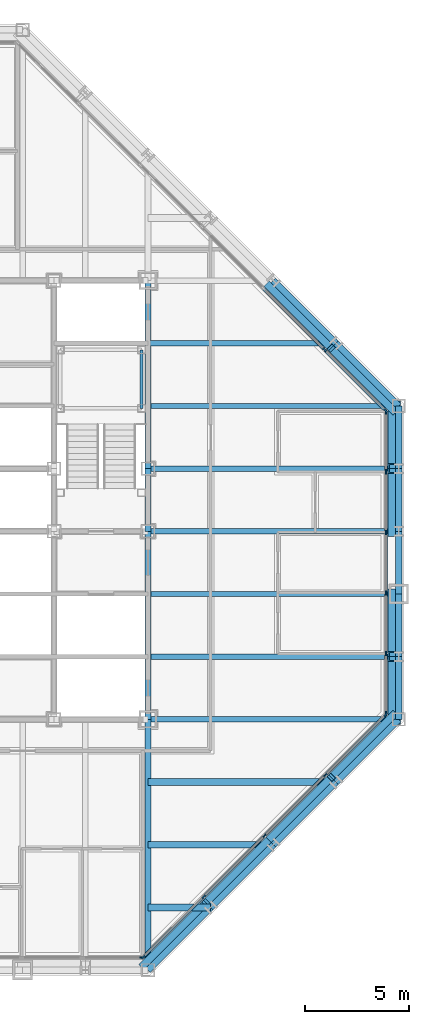
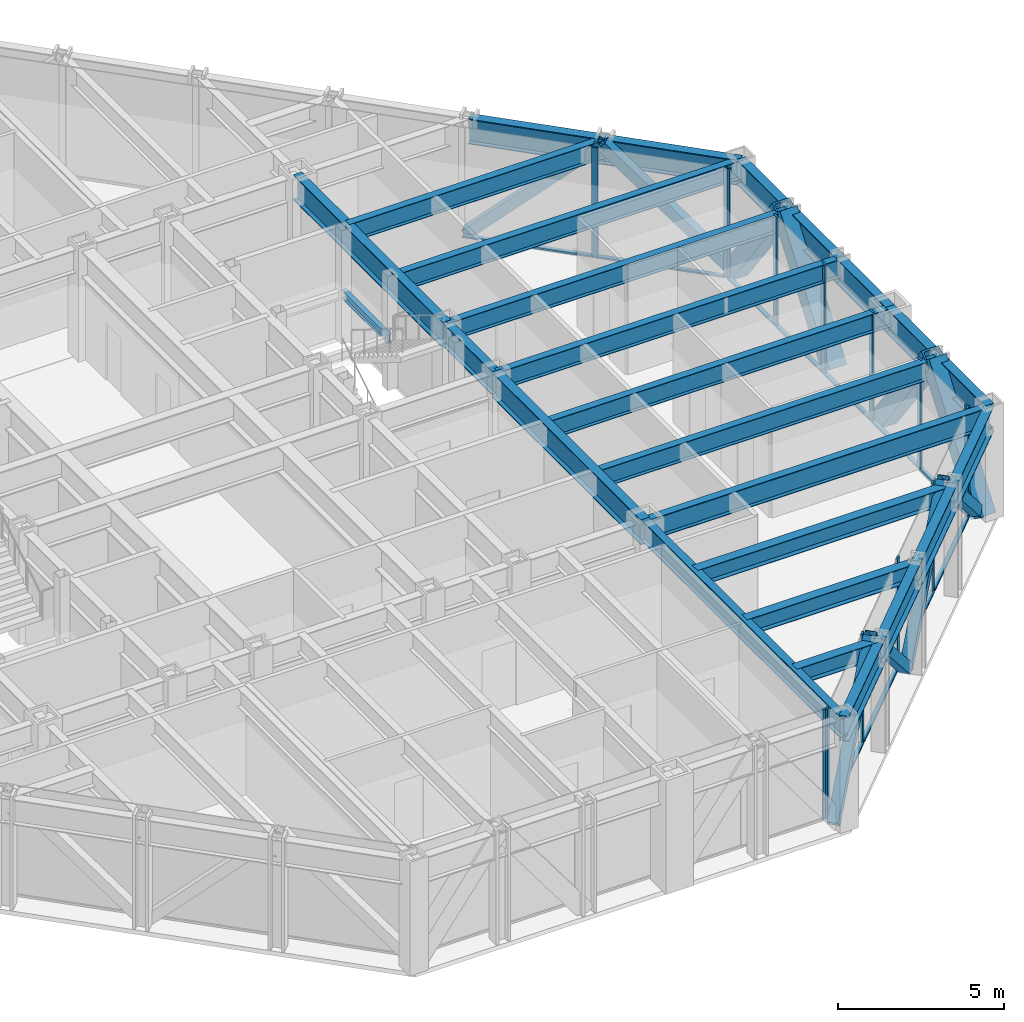
# One storey, part 7 of 16: 35 members, 26 beams, 4 elements without a shape of their own.
"""IFC4 building model written with IfcOpenShell, lengths in metres."""

from ifc_helpers import new_model, si_unit, direction, frame, origin, origin_2d, place, context, subcontext, project, spatial, rectangle, hollow_rectangle, i_section, extrude, material, layer, layer_set, material_profile, profile_set, type_object, element, aggregate, save


model = new_model("IFC4")

# Units and contexts
model_context = context("Model", 3, precision=1e-05, world=origin(), true_north=direction((0.0, 1.0)))
body_context = subcontext(model_context, "Body", "Model", "MODEL_VIEW")
ifc_project = project(units=[si_unit("LENGTHUNIT", "METRE"), si_unit("AREAUNIT", "SQUARE_METRE"), si_unit("VOLUMEUNIT", "CUBIC_METRE"), si_unit("PLANEANGLEUNIT", "RADIAN"), si_unit("MASSUNIT", "GRAM", prefix="KILO")], contexts=[model_context])

# Site, building, storey
site_placement = place(None, origin())
site = spatial("IfcSite", under=ifc_project, at=site_placement, CompositionType="ELEMENT")
building_placement = place(site_placement, origin())
building = spatial("IfcBuilding", under=site, at=building_placement, Name="Chuquiago Exchange Tower", CompositionType="ELEMENT")
storey_placement = place(building_placement, frame((0.0, 0.0, 201.300048828125)))
storey = spatial("IfcBuildingStorey", under=building, at=storey_placement, Name="L44", CompositionType="ELEMENT", Elevation=201.300048828125)

# Beams
ifc_material_1 = material(Name="Steel ASTM A992", Category="steel")
ifc_material_profile_1 = material_profile(ifc_material_1, i_section(OverallWidth=0.25390625, OverallDepth=0.683349609375, WebThickness=0.012451171875, FlangeThickness=0.018798828125, at=origin_2d()), Name="W27X94")
ifc_profile_set_1 = profile_set([ifc_material_profile_1], Name="Steel ASTM A992")
beam_type_1 = type_object("IfcBeamType", Name="B1 W27X94", PredefinedType="BEAM", material=ifc_profile_set_1)
for number, where, z_axis, x_axis, name in (
    (1, (33.0, 15.0, 3.6982421875), (1.0, 0.0, 0.0), (0.0, 1.0, 0.0), "FB-L45-infill-33_15-45_15-0"),
    (2, (33.0, 18.0, 3.6982421875), (1.0, 0.0, 0.0), (0.0, 1.0, 0.0), "FB-L45-infill-33_18-45_18-0"),
    (3, (33.0, 21.0, 3.6982421875), (1.0, 0.0, 0.0), (0.0, 1.0, 0.0), "FB-L45-infill-33_21-45_21-0"),
    (4, (33.0, 24.0, 3.6982421875), (1.0, 0.0, 0.0), (0.0, 1.0, 0.0), "FB-L45-infill-33_24-45_24-0"),
    (5, (33.0, 27.0, 3.6982421875), (1.0, 0.0, 0.0), (0.0, 1.0, 0.0), "FB-L45-infill-33_27-45_27-0"),
):
    element("IfcBeam", number, at=place(storey_placement, frame(where, z_axis=z_axis, x_axis=x_axis)), inside=storey, type_object=beam_type_1, Name=name, PredefinedType="BEAM", context=body_context, shape_type="SweptSolid", body=[
        extrude(i_section(OverallWidth=0.25390625, OverallDepth=0.683349609375, WebThickness=0.012451171875, FlangeThickness=0.018798828125, at=origin_2d()), origin(), (0.0, 0.0, 1.0), 12.0),
    ])
beam_1_placement = place(storey_placement, frame((33.0, 30.0, 3.6982421875), z_axis=(1.0, 0.0, 0.0), x_axis=(0.0, 1.0, 0.0)))
element("IfcBeam", 6, at=beam_1_placement, inside=storey, type_object=beam_type_1, Name="FB-L45-infill-33_30-42_30-0", PredefinedType="BEAM", context=body_context, shape_type="SweptSolid", body=[
    extrude(i_section(OverallWidth=0.25390625, OverallDepth=0.683349609375, WebThickness=0.012451171875, FlangeThickness=0.018798828125, at=origin_2d()), origin(), (0.0, 0.0, 1.0), 9.0),
])
ifc_material_2 = material(Name="Steel ASTM A992", Category="steel")
ifc_material_profile_2 = material_profile(ifc_material_2, i_section(OverallWidth=0.307373046875, OverallDepth=0.927001953125, WebThickness=0.01953125, FlangeThickness=0.031982421875, at=origin_2d()), Name="W36X194")
ifc_profile_set_2 = profile_set([ifc_material_profile_2], Name="Steel ASTM A992")
beam_type_2 = type_object("IfcBeamType", Name="B10 W36X194", PredefinedType="BEAM", material=ifc_profile_set_2)
for number, where, z_axis, x_axis, name in (
    (7, (33.0, 12.0, 3.576416015625), (0.0, 1.0, 0.0), (-1.0, 0.0, 0.0), "CB-L45-33_12-33_21"),
    (8, (33.0, 24.0, 3.576416015625), (0.0, 1.0, 0.0), (-1.0, 0.0, 0.0), "CB-L45-33_24-33_33"),
):
    element("IfcBeam", number, at=place(storey_placement, frame(where, z_axis=z_axis, x_axis=x_axis)), inside=storey, type_object=beam_type_2, Name=name, PredefinedType="BEAM", context=body_context, shape_type="SweptSolid", body=[
        extrude(i_section(OverallWidth=0.307373046875, OverallDepth=0.927001953125, WebThickness=0.01953125, FlangeThickness=0.031982421875, at=origin_2d()), origin(), (0.0, 0.0, 1.0), 9.0),
    ])
ifc_material_3 = material(Name="Steel ASTM A992", Category="steel")
ifc_material_profile_3 = material_profile(ifc_material_3, i_section(OverallWidth=0.3251953125, OverallDepth=0.612060546875, WebThickness=0.0126953125, FlangeThickness=0.01904296875, at=origin_2d()), Name="W24X104")
ifc_profile_set_3 = profile_set([ifc_material_profile_3], Name="Steel ASTM A992")
beam_type_3 = type_object("IfcBeamType", Name="B2 W24X104", PredefinedType="BEAM", material=ifc_profile_set_3)
beam_2_placement = place(storey_placement, frame((33.0, 3.0, 3.73388671875), z_axis=(1.0, 0.0, 0.0), x_axis=(0.0, 1.0, 0.0)))
element("IfcBeam", 9, at=beam_2_placement, inside=storey, type_object=beam_type_3, Name="FB-L45-corner-33_3-36_3-0", PredefinedType="BEAM", context=body_context, shape_type="SweptSolid", body=[
    extrude(i_section(OverallWidth=0.3251953125, OverallDepth=0.612060546875, WebThickness=0.0126953125, FlangeThickness=0.01904296875, at=origin_2d()), origin(), (0.0, 0.0, 1.0), 3.0),
])
beam_3_placement = place(storey_placement, frame((33.0, 6.0, 3.73388671875), z_axis=(1.0, 0.0, 0.0), x_axis=(0.0, 1.0, 0.0)))
element("IfcBeam", 10, at=beam_3_placement, inside=storey, type_object=beam_type_3, Name="FB-L45-corner-33_6-39_6-0", PredefinedType="BEAM", context=body_context, shape_type="SweptSolid", body=[
    extrude(i_section(OverallWidth=0.3251953125, OverallDepth=0.612060546875, WebThickness=0.0126953125, FlangeThickness=0.01904296875, at=origin_2d()), origin(), (0.0, 0.0, 1.0), 6.0),
])
beam_4_placement = place(storey_placement, frame((33.0, 9.0, 3.73388671875), z_axis=(1.0, 0.0, 0.0), x_axis=(0.0, 1.0, 0.0)))
element("IfcBeam", 11, at=beam_4_placement, inside=storey, type_object=beam_type_3, Name="FB-L45-corner-33_9-42_9-0", PredefinedType="BEAM", context=body_context, shape_type="SweptSolid", body=[
    extrude(i_section(OverallWidth=0.3251953125, OverallDepth=0.612060546875, WebThickness=0.0126953125, FlangeThickness=0.01904296875, at=origin_2d()), origin(), (0.0, 0.0, 1.0), 9.0),
])
ifc_material_4 = material(Name="Steel ASTM A992", Category="steel")
ifc_material_profile_4 = material_profile(ifc_material_4, i_section(OverallWidth=0.2919921875, OverallDepth=0.8583984375, WebThickness=0.01708984375, FlangeThickness=0.031005859375, at=origin_2d()), Name="W33X169")
ifc_profile_set_4 = profile_set([ifc_material_profile_4], Name="Steel ASTM A992")
beam_type_4 = type_object("IfcBeamType", Name="B3 W33X169", PredefinedType="BEAM", material=ifc_profile_set_4)
beam_5_placement = place(storey_placement, frame((33.0, 21.0, 3.610595703125), z_axis=(0.0, 1.0, 0.0), x_axis=(-1.0, 0.0, 0.0)))
element("IfcBeam", 12, at=beam_5_placement, inside=storey, type_object=beam_type_4, Name="CB-L45-33_21-33_24", PredefinedType="BEAM", context=body_context, shape_type="SweptSolid", body=[
    extrude(i_section(OverallWidth=0.2919921875, OverallDepth=0.8583984375, WebThickness=0.01708984375, FlangeThickness=0.031005859375, at=origin_2d()), origin(), (0.0, 0.0, 1.0), 3.0),
])

# Curtain wall, member
ifc_material_5 = material(Name="Aluminium curtain wall system", Category="aluminium")
ifc_layer_1 = layer(ifc_material_5, 0.22509765625)
ifc_layer_set_1 = layer_set([ifc_layer_1], Name="CW2 office curtain wall")
curtain_wall_type_1 = type_object("IfcCurtainWallType", Name="CW2 office curtain wall", PredefinedType="NOTDEFINED", material=ifc_layer_set_1)
curtain_wall_1_placement = place(storey_placement, origin())
curtain_wall_1 = element("IfcCurtainWall", 13, at=curtain_wall_1_placement, inside=storey, type_object=curtain_wall_type_1, Name="CW2 curtain wall L44", PredefinedType="NOTDEFINED")
ifc_material_6 = material(Name="Aluminium mullion, pale anodised", Category="aluminium")
ifc_material_profile_5 = material_profile(ifc_material_6, rectangle(XDim=0.06494140625, YDim=0.22509765625, at=origin_2d()), Name="AL 65x225")
ifc_profile_set_5 = profile_set([ifc_material_profile_5], Name="Aluminium mullion, pale anodised")
member_type_1 = type_object("IfcMemberType", Name="CW2-M mullion 65x225", PredefinedType="MULLION", material=ifc_profile_set_5)
member_1_placement = place(storey_placement, frame((32.718994140625, 0.60009765625, 0.0), z_axis=(0.0, 0.0, 1.0), x_axis=(0.0, 1.0, 0.0)))
member_1 = element("IfcMember", 14, at=member_1_placement, type_object=member_type_1, Name="CW2 mullion 6", PredefinedType="MULLION", context=body_context, shape_type="SweptSolid", body=[
    extrude(rectangle(XDim=0.06494140625, YDim=0.22509765625, at=origin_2d()), origin(), (0.0, 0.0, 1.0), 4.0400390625),
])
aggregate(curtain_wall_1, [member_1])

# Curtain wall, members
curtain_wall_2_placement = place(storey_placement, origin())
curtain_wall_2 = element("IfcCurtainWall", 15, at=curtain_wall_2_placement, inside=storey, type_object=curtain_wall_type_1, Name="CW2 curtain wall L44", PredefinedType="NOTDEFINED")
member_2_placement = place(storey_placement, frame((44.39990234375, 12.281005859375, 0.0), z_axis=(0.0, 0.0, 1.0), x_axis=(-1.0, 0.0, 0.0)))
member_2 = element("IfcMember", 16, at=member_2_placement, type_object=member_type_1, Name="CW2 mullion 1", PredefinedType="MULLION", context=body_context, shape_type="SweptSolid", body=[
    extrude(rectangle(XDim=0.06494140625, YDim=0.22509765625, at=origin_2d()), origin(), (0.0, 0.0, 1.0), 4.0400390625),
])
member_3_placement = place(storey_placement, frame((44.39990234375, 15.149169921875, 0.0), z_axis=(0.0, 0.0, 1.0), x_axis=(-1.0, 0.0, 0.0)))
member_3 = element("IfcMember", 17, at=member_3_placement, type_object=member_type_1, Name="CW2 mullion 2", PredefinedType="MULLION", context=body_context, shape_type="SweptSolid", body=[
    extrude(rectangle(XDim=0.06494140625, YDim=0.22509765625, at=origin_2d()), origin(), (0.0, 0.0, 1.0), 4.0400390625),
])
member_4_placement = place(storey_placement, frame((44.39990234375, 18.0498046875, 0.0), z_axis=(0.0, 0.0, 1.0), x_axis=(-1.0, 0.0, 0.0)))
member_4 = element("IfcMember", 18, at=member_4_placement, type_object=member_type_1, Name="CW2 mullion 3", PredefinedType="MULLION", context=body_context, shape_type="SweptSolid", body=[
    extrude(rectangle(XDim=0.06494140625, YDim=0.22509765625, at=origin_2d()), origin(), (0.0, 0.0, 1.0), 4.0400390625),
])
member_5_placement = place(storey_placement, frame((44.39990234375, 20.9501953125, 0.0), z_axis=(0.0, 0.0, 1.0), x_axis=(-1.0, 0.0, 0.0)))
member_5 = element("IfcMember", 19, at=member_5_placement, type_object=member_type_1, Name="CW2 mullion 4", PredefinedType="MULLION", context=body_context, shape_type="SweptSolid", body=[
    extrude(rectangle(XDim=0.06494140625, YDim=0.22509765625, at=origin_2d()), origin(), (0.0, 0.0, 1.0), 4.0400390625),
])
member_6_placement = place(storey_placement, frame((44.39990234375, 23.850830078125, 0.0), z_axis=(0.0, 0.0, 1.0), x_axis=(-1.0, 0.0, 0.0)))
member_6 = element("IfcMember", 20, at=member_6_placement, type_object=member_type_1, Name="CW2 mullion 5", PredefinedType="MULLION", context=body_context, shape_type="SweptSolid", body=[
    extrude(rectangle(XDim=0.06494140625, YDim=0.22509765625, at=origin_2d()), origin(), (0.0, 0.0, 1.0), 4.0400390625),
])
member_7_placement = place(storey_placement, frame((44.39990234375, 26.718994140625, 0.0), z_axis=(0.0, 0.0, 1.0), x_axis=(-1.0, 0.0, 0.0)))
member_7 = element("IfcMember", 21, at=member_7_placement, type_object=member_type_1, Name="CW2 mullion 6", PredefinedType="MULLION", context=body_context, shape_type="SweptSolid", body=[
    extrude(rectangle(XDim=0.06494140625, YDim=0.22509765625, at=origin_2d()), origin(), (0.0, 0.0, 1.0), 4.0400390625),
])
ifc_material_7 = material(Name="Aluminium transom, pale anodised", Category="aluminium")
ifc_material_profile_6 = material_profile(ifc_material_7, rectangle(XDim=0.139892578125, YDim=0.06494140625, at=origin_2d()), Name="AL 140x65")
ifc_profile_set_6 = profile_set([ifc_material_profile_6], Name="Aluminium transom, pale anodised")
member_type_2 = type_object("IfcMemberType", Name="CW2-T transom 65x140", PredefinedType="MULLION", material=ifc_profile_set_6)
member_8_placement = place(storey_placement, frame((44.39990234375, 12.3134765625, 0.032470703125), z_axis=(0.0, 1.0, 0.0), x_axis=(-1.0, 0.0, 0.0)))
member_8 = element("IfcMember", 22, at=member_8_placement, type_object=member_type_2, Name="CW2 transom 1.1", PredefinedType="MULLION", context=body_context, shape_type="SweptSolid", body=[
    extrude(rectangle(XDim=0.139892578125, YDim=0.06494140625, at=origin_2d()), origin(), (0.0, 0.0, 1.0), 2.80322265625),
])
member_9_placement = place(storey_placement, frame((44.39990234375, 15.181640625, 0.032470703125), z_axis=(0.0, 1.0, 0.0), x_axis=(-1.0, 0.0, 0.0)))
member_9 = element("IfcMember", 23, at=member_9_placement, type_object=member_type_2, Name="CW2 transom 2.1", PredefinedType="MULLION", context=body_context, shape_type="SweptSolid", body=[
    extrude(rectangle(XDim=0.139892578125, YDim=0.06494140625, at=origin_2d()), origin(), (0.0, 0.0, 1.0), 2.83544921875),
])
member_10_placement = place(storey_placement, frame((44.39990234375, 18.082275390625, 0.032470703125), z_axis=(0.0, 1.0, 0.0), x_axis=(-1.0, 0.0, 0.0)))
member_10 = element("IfcMember", 24, at=member_10_placement, type_object=member_type_2, Name="CW2 transom 3.1", PredefinedType="MULLION", context=body_context, shape_type="SweptSolid", body=[
    extrude(rectangle(XDim=0.139892578125, YDim=0.06494140625, at=origin_2d()), origin(), (0.0, 0.0, 1.0), 2.83544921875),
])
member_11_placement = place(storey_placement, frame((44.39990234375, 20.98291015625, 0.032470703125), z_axis=(0.0, 1.0, 0.0), x_axis=(-1.0, 0.0, 0.0)))
member_11 = element("IfcMember", 25, at=member_11_placement, type_object=member_type_2, Name="CW2 transom 4.1", PredefinedType="MULLION", context=body_context, shape_type="SweptSolid", body=[
    extrude(rectangle(XDim=0.139892578125, YDim=0.06494140625, at=origin_2d()), origin(), (0.0, 0.0, 1.0), 2.83544921875),
])
member_12_placement = place(storey_placement, frame((44.39990234375, 23.88330078125, 0.032470703125), z_axis=(0.0, 1.0, 0.0), x_axis=(-1.0, 0.0, 0.0)))
member_12 = element("IfcMember", 26, at=member_12_placement, type_object=member_type_2, Name="CW2 transom 5.1", PredefinedType="MULLION", context=body_context, shape_type="SweptSolid", body=[
    extrude(rectangle(XDim=0.139892578125, YDim=0.06494140625, at=origin_2d()), origin(), (0.0, 0.0, 1.0), 2.80322265625),
])
aggregate(curtain_wall_2, [member_2, member_3, member_4, member_5, member_6, member_7, member_8, member_9, member_10, member_11, member_12])

ifc_material_8 = material(Name="Aluminium curtain wall system", Category="aluminium")
ifc_layer_2 = layer(ifc_material_8, 0.199951171875)
ifc_layer_set_2 = layer_set([ifc_layer_2], Name="CW3 facet curtain wall")
curtain_wall_type_2 = type_object("IfcCurtainWallType", Name="CW3 facet curtain wall", PredefinedType="NOTDEFINED", material=ifc_layer_set_2)
curtain_wall_3_placement = place(storey_placement, origin())
curtain_wall_3 = element("IfcCurtainWall", 27, at=curtain_wall_3_placement, inside=storey, type_object=curtain_wall_type_2, Name="CW3 curtain wall L44", PredefinedType="NOTDEFINED")
ifc_material_9 = material(Name="Aluminium mullion, pale anodised", Category="aluminium")
ifc_material_profile_7 = material_profile(ifc_material_9, rectangle(XDim=0.06494140625, YDim=0.199951171875, at=origin_2d()), Name="AL 65x200")
ifc_profile_set_7 = profile_set([ifc_material_profile_7], Name="Aluminium mullion, pale anodised")
member_type_3 = type_object("IfcMemberType", Name="CW3-M mullion 65x200", PredefinedType="MULLION", material=ifc_profile_set_7)
member_13_placement = place(storey_placement, frame((32.7744140625, 0.623046875, 0.0), z_axis=(0.0, 0.0, 1.0), x_axis=(-0.707106781187, 0.707106781187, 0.0)))
member_13 = element("IfcMember", 28, at=member_13_placement, type_object=member_type_3, Name="CW3 mullion 1", PredefinedType="MULLION", context=body_context, shape_type="SweptSolid", body=[
    extrude(rectangle(XDim=0.06494140625, YDim=0.199951171875, at=origin_2d()), origin(), (0.0, 0.0, 1.0), 4.0400390625),
])
member_14_placement = place(storey_placement, frame((35.66357421875, 3.51220703125, 0.0), z_axis=(0.0, 0.0, 1.0), x_axis=(-0.707106781187, 0.707106781187, 0.0)))
member_14 = element("IfcMember", 29, at=member_14_placement, type_object=member_type_3, Name="CW3 mullion 2", PredefinedType="MULLION", context=body_context, shape_type="SweptSolid", body=[
    extrude(rectangle(XDim=0.06494140625, YDim=0.199951171875, at=origin_2d()), origin(), (0.0, 0.0, 1.0), 4.0400390625),
])
member_15_placement = place(storey_placement, frame((38.57568359375, 6.42431640625, 0.0), z_axis=(0.0, 0.0, 1.0), x_axis=(-0.707106781187, 0.707106781187, 0.0)))
member_15 = element("IfcMember", 30, at=member_15_placement, type_object=member_type_3, Name="CW3 mullion 3", PredefinedType="MULLION", context=body_context, shape_type="SweptSolid", body=[
    extrude(rectangle(XDim=0.06494140625, YDim=0.199951171875, at=origin_2d()), origin(), (0.0, 0.0, 1.0), 4.0400390625),
])
member_16_placement = place(storey_placement, frame((41.48779296875, 9.33642578125, 0.0), z_axis=(0.0, 0.0, 1.0), x_axis=(-0.707106781187, 0.707106781187, 0.0)))
member_16 = element("IfcMember", 31, at=member_16_placement, type_object=member_type_3, Name="CW3 mullion 4", PredefinedType="MULLION", context=body_context, shape_type="SweptSolid", body=[
    extrude(rectangle(XDim=0.06494140625, YDim=0.199951171875, at=origin_2d()), origin(), (0.0, 0.0, 1.0), 4.0400390625),
])
member_17_placement = place(storey_placement, frame((44.376953125, 12.2255859375, 0.0), z_axis=(0.0, 0.0, 1.0), x_axis=(-0.707106781187, 0.707106781187, 0.0)))
member_17 = element("IfcMember", 32, at=member_17_placement, type_object=member_type_3, Name="CW3 mullion 5", PredefinedType="MULLION", context=body_context, shape_type="SweptSolid", body=[
    extrude(rectangle(XDim=0.06494140625, YDim=0.199951171875, at=origin_2d()), origin(), (0.0, 0.0, 1.0), 4.0400390625),
])

curtain_wall_4_placement = place(storey_placement, origin())
curtain_wall_4 = element("IfcCurtainWall", 33, at=curtain_wall_4_placement, inside=storey, type_object=curtain_wall_type_2, Name="CW3 curtain wall L44", PredefinedType="NOTDEFINED")
member_18_placement = place(storey_placement, frame((44.376953125, 26.7744140625, 0.0), z_axis=(0.0, 0.0, 1.0), x_axis=(-0.707106781187, -0.707106781187, 0.0)))
member_18 = element("IfcMember", 34, at=member_18_placement, type_object=member_type_3, Name="CW3 mullion 1", PredefinedType="MULLION", context=body_context, shape_type="SweptSolid", body=[
    extrude(rectangle(XDim=0.06494140625, YDim=0.199951171875, at=origin_2d()), origin(), (0.0, 0.0, 1.0), 4.0400390625),
])
member_19_placement = place(storey_placement, frame((41.45849609375, 29.69287109375, 0.0), z_axis=(0.0, 0.0, 1.0), x_axis=(-0.707106781187, -0.707106781187, 0.0)))
member_19 = element("IfcMember", 35, at=member_19_placement, type_object=member_type_3, Name="CW3 mullion 2", PredefinedType="MULLION", context=body_context, shape_type="SweptSolid", body=[
    extrude(rectangle(XDim=0.06494140625, YDim=0.199951171875, at=origin_2d()), origin(), (0.0, 0.0, 1.0), 4.0400390625),
])

# Member
ifc_material_10 = material(Name="Aluminium transom, pale anodised", Category="aluminium")
ifc_material_profile_8 = material_profile(ifc_material_10, rectangle(XDim=0.139892578125, YDim=0.06494140625, at=origin_2d()), Name="AL 140x65")
ifc_profile_set_8 = profile_set([ifc_material_profile_8], Name="Aluminium transom, pale anodised")
member_type_4 = type_object("IfcMemberType", Name="CW3-T transom 65x140", PredefinedType="MULLION", material=ifc_profile_set_8)
member_20_placement = place(storey_placement, frame((32.79736328125, 0.64599609375, 0.032470703125), z_axis=(0.707106781187, 0.707106781187, 0.0), x_axis=(-0.707106781187, 0.707106781187, 0.0)))
member_20 = element("IfcMember", 36, at=member_20_placement, type_object=member_type_4, Name="CW3 transom 1.1", PredefinedType="MULLION", context=body_context, shape_type="SweptSolid", body=[
    extrude(rectangle(XDim=0.139892578125, YDim=0.06494140625, at=origin_2d()), origin(), (0.0, 0.0, 1.0), 4.02099609375),
])

member_21_placement = place(storey_placement, frame((35.6865234375, 3.53515625, 0.032470703125), z_axis=(0.707106781187, 0.707106781187, 0.0), x_axis=(-0.707106781187, 0.707106781187, 0.0)))
member_21 = element("IfcMember", 37, at=member_21_placement, type_object=member_type_4, Name="CW3 transom 2.1", PredefinedType="MULLION", context=body_context, shape_type="SweptSolid", body=[
    extrude(rectangle(XDim=0.139892578125, YDim=0.06494140625, at=origin_2d()), origin(), (0.0, 0.0, 1.0), 4.053466796875),
])

member_22_placement = place(storey_placement, frame((38.5986328125, 6.447265625, 0.032470703125), z_axis=(0.707106781187, 0.707106781187, 0.0), x_axis=(-0.707106781187, 0.707106781187, 0.0)))
member_22 = element("IfcMember", 38, at=member_22_placement, type_object=member_type_4, Name="CW3 transom 3.1", PredefinedType="MULLION", context=body_context, shape_type="SweptSolid", body=[
    extrude(rectangle(XDim=0.139892578125, YDim=0.06494140625, at=origin_2d()), origin(), (0.0, 0.0, 1.0), 4.053466796875),
])

member_23_placement = place(storey_placement, frame((41.5107421875, 9.359375, 0.032470703125), z_axis=(0.707106781187, 0.707106781187, 0.0), x_axis=(-0.707106781187, 0.707106781187, 0.0)))
member_23 = element("IfcMember", 39, at=member_23_placement, type_object=member_type_4, Name="CW3 transom 4.1", PredefinedType="MULLION", context=body_context, shape_type="SweptSolid", body=[
    extrude(rectangle(XDim=0.139892578125, YDim=0.06494140625, at=origin_2d()), origin(), (0.0, 0.0, 1.0), 4.02099609375),
])

aggregate(curtain_wall_3, [member_13, member_14, member_15, member_16, member_17, member_20, member_21, member_22, member_23])

member_24_placement = place(storey_placement, frame((44.35400390625, 26.79736328125, 0.032470703125), z_axis=(-0.707106781187, 0.707106781187, 0.0), x_axis=(-0.707106781187, -0.707106781187, 0.0)))
member_24 = element("IfcMember", 40, at=member_24_placement, type_object=member_type_4, Name="CW3 transom 1.1", PredefinedType="MULLION", context=body_context, shape_type="SweptSolid", body=[
    extrude(rectangle(XDim=0.139892578125, YDim=0.06494140625, at=origin_2d()), origin(), (0.0, 0.0, 1.0), 4.0625),
])

member_25_placement = place(storey_placement, frame((41.435546875, 29.7158203125, 0.032470703125), z_axis=(-0.707106781187, 0.707106781187, 0.0), x_axis=(-0.707106781187, -0.707106781187, 0.0)))
member_25 = element("IfcMember", 41, at=member_25_placement, type_object=member_type_4, Name="CW3 transom 2.1", PredefinedType="MULLION", context=body_context, shape_type="SweptSolid", body=[
    extrude(rectangle(XDim=0.139892578125, YDim=0.06494140625, at=origin_2d()), origin(), (0.0, 0.0, 1.0), 4.094970703125),
])

aggregate(curtain_wall_4, [member_18, member_19, member_24, member_25])

# Beams
ifc_material_11 = material(Name="Steel ASTM A992", Category="steel")
ifc_material_profile_9 = material_profile(ifc_material_11, i_section(OverallWidth=0.2666015625, OverallDepth=0.76953125, WebThickness=0.015625, FlangeThickness=0.025390625, at=origin_2d()), Name="W30X132")
ifc_profile_set_9 = profile_set([ifc_material_profile_9], Name="Steel ASTM A992")
beam_type_5 = type_object("IfcBeamType", Name="G1 W30X132", PredefinedType="BEAM", material=ifc_profile_set_9)
for number, where, z_axis, x_axis, name in (
    (42, (33.0, 12.0, 3.655029296875), (0.0, -1.0, 0.0), (1.0, 0.0, 0.0), "FB-L45-girder-33_12-33_-0-0"),
    (43, (33.0, 12.0, 3.655029296875), (1.0, 0.0, 0.0), (0.0, 1.0, 0.0), "FB-L45-girder-33_12-45_12-0"),
):
    element("IfcBeam", number, at=place(storey_placement, frame(where, z_axis=z_axis, x_axis=x_axis)), inside=storey, type_object=beam_type_5, Name=name, PredefinedType="BEAM", context=body_context, shape_type="SweptSolid", body=[
        extrude(i_section(OverallWidth=0.2666015625, OverallDepth=0.76953125, WebThickness=0.015625, FlangeThickness=0.025390625, at=origin_2d()), origin(), (0.0, 0.0, 1.0), 12.0),
    ])

# Members
ifc_material_12 = material(Name="Steel ASTM A500 Grade C", Category="steel")
ifc_material_profile_10 = material_profile(ifc_material_12, hollow_rectangle(XDim=0.355712890625, YDim=0.355712890625, WallThickness=0.0146484375, at=origin_2d()), Name="HSS14X14X5/8")
ifc_profile_set_10 = profile_set([ifc_material_profile_10], Name="Steel ASTM A500 Grade C")
member_type_5 = type_object("IfcMemberType", Name="LB2 HSS14X14X5/8", PredefinedType="BRACE", material=ifc_profile_set_10)
for number, where, z_axis, x_axis, name in (
    (44, (32.7685546875, 0.2314453125, 0.0), (0.512077265487, 0.512077265487, 0.689604051861), (-0.707106781187, 0.707106781187, 0.0), "LB-L44-33_0-36_3"),
    (45, (38.7685546875, 6.2314453125, 0.0), (-0.512077265487, -0.512077265487, 0.689604051861), (0.707106781187, -0.707106781187, 0.0), "LB-L44-36_3-39_6"),
    (46, (38.7685546875, 6.2314453125, 0.0), (0.512077265487, 0.512077265487, 0.689604051861), (-0.707106781187, 0.707106781187, 0.0), "LB-L44-39_6-42_9"),
    (47, (44.7685546875, 12.2314453125, 0.0), (-0.512077265487, -0.512077265487, 0.689604051861), (0.707106781187, -0.707106781187, 0.0), "LB-L44-42_9-45_12"),
    (48, (44.7685546875, 26.7685546875, 0.0), (-0.512077265487, 0.512077265487, 0.689604051861), (-0.707106781187, -0.707106781187, 0.0), "LB-L44-45_27-42_30"),
    (49, (38.7685546875, 32.7685546875, 0.0), (0.512077265487, -0.512077265487, 0.689604051861), (0.707106781187, 0.707106781187, 0.0), "LB-L44-42_30-39_33"),
):
    element("IfcMember", number, at=place(storey_placement, frame(where, z_axis=z_axis, x_axis=x_axis)), inside=storey, type_object=member_type_5, Name=name, PredefinedType="BRACE", context=body_context, shape_type="SweptSolid", body=[
        extrude(hollow_rectangle(XDim=0.355712890625, YDim=0.355712890625, WallThickness=0.0146484375, at=origin_2d()), origin(), (0.0, 0.0, 1.0), 5.8583984375),
    ])

# Beam
ifc_material_13 = material(Name="Steel ASTM A992", Category="steel")
ifc_material_profile_11 = material_profile(ifc_material_13, i_section(OverallWidth=0.164794921875, OverallDepth=0.309814453125, WebThickness=0.005859375, FlangeThickness=0.009765625, at=origin_2d()), Name="W12X26")
ifc_profile_set_11 = profile_set([ifc_material_profile_11], Name="Steel ASTM A992")
beam_type_6 = type_object("IfcBeamType", Name="LS1 W12X26", PredefinedType="BEAM", material=ifc_profile_set_11)
beam_6_placement = place(storey_placement, frame((32.68994140625, 26.889892578125, 1.7451171875), z_axis=(0.0, 1.0, 0.0), x_axis=(-1.0, 0.0, 0.0)))
element("IfcBeam", 50, at=beam_6_placement, inside=storey, type_object=beam_type_6, Name="Stair ST2 L44 landing 1 stringer", PredefinedType="BEAM", context=body_context, shape_type="SweptSolid", body=[
    extrude(i_section(OverallWidth=0.164794921875, OverallDepth=0.309814453125, WebThickness=0.005859375, FlangeThickness=0.009765625, at=origin_2d()), origin(), (0.0, 0.0, 1.0), 2.800048828125),
])

# Members
ifc_material_14 = material(Name="Steel ASTM A572 Grade 50", Category="steel")
ifc_material_profile_12 = material_profile(ifc_material_14, hollow_rectangle(XDim=0.60009765625, YDim=0.60009765625, WallThickness=0.06005859375, at=origin_2d()), Name="BOX600X600X60")
ifc_profile_set_12 = profile_set([ifc_material_profile_12], Name="Steel ASTM A572 Grade 50")
member_type_6 = type_object("IfcMemberType", Name="MB3 BOX600X600X60", PredefinedType="BRACE", material=ifc_profile_set_12)
for number, where, z_axis, x_axis, name in (
    (51, (44.794921875, 12.0, 0.0), (0.0, 0.596173923302, 0.802855312728), (-1.0, 0.0, 0.0), "Mega diagonal L44 E face"),
    (52, (44.794921875, 18.0, 0.0), (0.0, -0.596173923302, 0.802855312728), (1.0, 0.0, 0.0), "Mega diagonal L44 E face"),
    (53, (44.794921875, 21.0, 0.0), (0.0, 0.596173923302, 0.802855312728), (-1.0, 0.0, 0.0), "Mega diagonal L44 E face"),
    (54, (44.794921875, 27.0, 0.0), (0.0, -0.596173923302, 0.802855312728), (1.0, 0.0, 0.0), "Mega diagonal L44 E face"),
):
    element("IfcMember", number, at=place(storey_placement, frame(where, z_axis=z_axis, x_axis=x_axis)), inside=storey, type_object=member_type_6, Name=name, PredefinedType="BRACE", context=body_context, shape_type="SweptSolid", body=[
        extrude(hollow_rectangle(XDim=0.60009765625, YDim=0.60009765625, WallThickness=0.06005859375, at=origin_2d()), origin(), (0.0, 0.0, 1.0), 5.031982421875),
    ])

# Beams
ifc_material_15 = material(Name="Steel ASTM A992", Category="steel")
ifc_material_profile_13 = material_profile(ifc_material_15, i_section(OverallWidth=0.307373046875, OverallDepth=0.927001953125, WebThickness=0.01953125, FlangeThickness=0.031982421875, at=origin_2d()), Name="W36X194")
ifc_profile_set_13 = profile_set([ifc_material_profile_13], Name="Steel ASTM A992")
beam_type_7 = type_object("IfcBeamType", Name="SP3 W36X194", PredefinedType="SPANDREL", material=ifc_profile_set_13)
for number, where, z_axis, x_axis, name in (
    (55, (33.0, 0.0, 3.576416015625), (0.707106781187, 0.707106781187, 0.0), (-0.707106781187, 0.707106781187, 0.0), "SPB-L45-33_0-36_3"),
    (56, (36.0, 3.0, 3.576416015625), (0.707106781187, 0.707106781187, 0.0), (-0.707106781187, 0.707106781187, 0.0), "SPB-L45-36_3-39_6"),
    (57, (39.0, 6.0, 3.576416015625), (0.707106781187, 0.707106781187, 0.0), (-0.707106781187, 0.707106781187, 0.0), "SPB-L45-39_6-42_9"),
    (58, (42.0, 9.0, 3.576416015625), (0.707106781187, 0.707106781187, 0.0), (-0.707106781187, 0.707106781187, 0.0), "SPB-L45-42_9-45_12"),
):
    element("IfcBeam", number, at=place(storey_placement, frame(where, z_axis=z_axis, x_axis=x_axis)), inside=storey, type_object=beam_type_7, Name=name, PredefinedType="SPANDREL", context=body_context, shape_type="SweptSolid", body=[
        extrude(i_section(OverallWidth=0.307373046875, OverallDepth=0.927001953125, WebThickness=0.01953125, FlangeThickness=0.031982421875, at=origin_2d()), origin(), (0.0, 0.0, 1.0), 4.24267578125),
    ])
for number, where, z_axis, x_axis, name in (
    (59, (45.0, 12.0, 3.576416015625), (0.0, 1.0, 0.0), (-1.0, 0.0, 0.0), "SPB-L45-45_12-45_15"),
    (60, (45.0, 15.0, 3.576416015625), (0.0, 1.0, 0.0), (-1.0, 0.0, 0.0), "SPB-L45-45_15-45_18"),
    (61, (45.0, 18.0, 3.576416015625), (0.0, 1.0, 0.0), (-1.0, 0.0, 0.0), "SPB-L45-45_18-45_21"),
    (62, (45.0, 21.0, 3.576416015625), (0.0, 1.0, 0.0), (-1.0, 0.0, 0.0), "SPB-L45-45_21-45_24"),
    (63, (45.0, 24.0, 3.576416015625), (0.0, 1.0, 0.0), (-1.0, 0.0, 0.0), "SPB-L45-45_24-45_27"),
):
    element("IfcBeam", number, at=place(storey_placement, frame(where, z_axis=z_axis, x_axis=x_axis)), inside=storey, type_object=beam_type_7, Name=name, PredefinedType="SPANDREL", context=body_context, shape_type="SweptSolid", body=[
        extrude(i_section(OverallWidth=0.307373046875, OverallDepth=0.927001953125, WebThickness=0.01953125, FlangeThickness=0.031982421875, at=origin_2d()), origin(), (0.0, 0.0, 1.0), 3.0),
    ])
for number, where, z_axis, x_axis, name in (
    (64, (45.0, 27.0, 3.576416015625), (-0.707106781187, 0.707106781187, 0.0), (-0.707106781187, -0.707106781187, 0.0), "SPB-L45-45_27-42_30"),
    (65, (42.0, 30.0, 3.576416015625), (-0.707106781187, 0.707106781187, 0.0), (-0.707106781187, -0.707106781187, 0.0), "SPB-L45-42_30-39_33"),
):
    element("IfcBeam", number, at=place(storey_placement, frame(where, z_axis=z_axis, x_axis=x_axis)), inside=storey, type_object=beam_type_7, Name=name, PredefinedType="SPANDREL", context=body_context, shape_type="SweptSolid", body=[
        extrude(i_section(OverallWidth=0.307373046875, OverallDepth=0.927001953125, WebThickness=0.01953125, FlangeThickness=0.031982421875, at=origin_2d()), origin(), (0.0, 0.0, 1.0), 4.24267578125),
    ])

save(model, "model.ifc")
